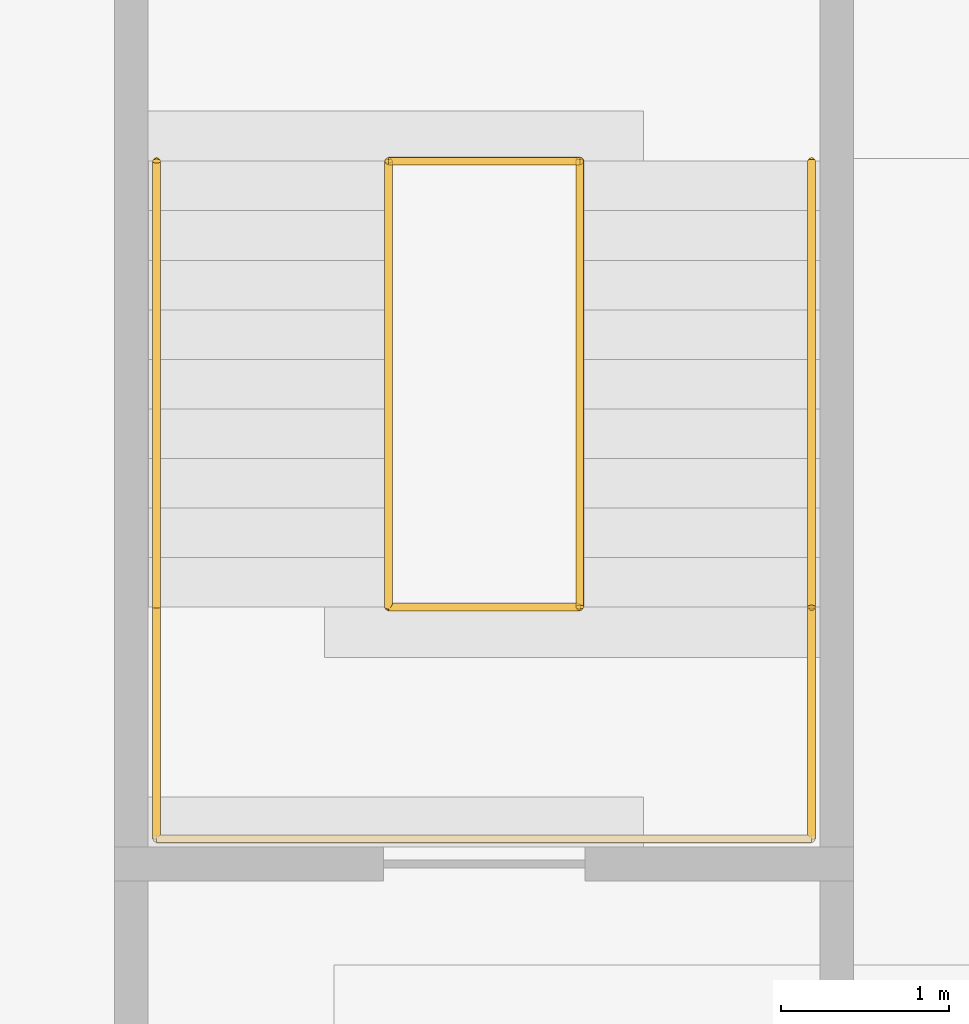
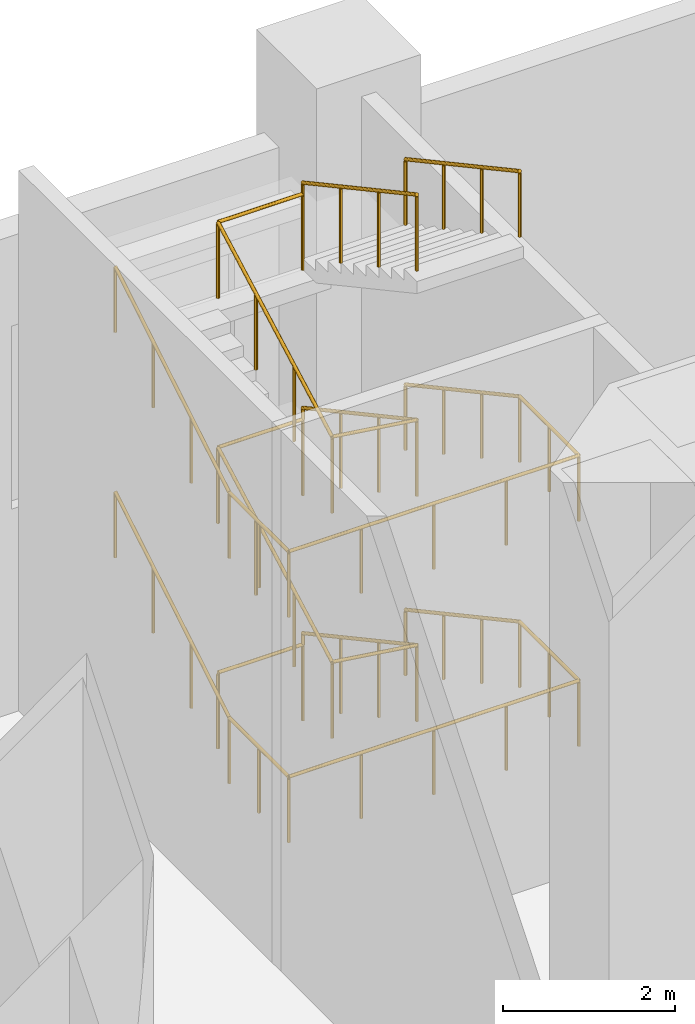
# One storey, part 30 of 31: 7 railings.
"""IFC4 building model written with IfcOpenShell, lengths in metres."""

from ifc_helpers import new_model, si_unit, direction, frame, origin, origin_2d, place, context, subcontext, project, spatial, circle, extrude, material, type_object, element, save


model = new_model("IFC4")

# Units and contexts
model_context = context("Model", 3, precision=1e-05, world=origin(), true_north=direction((0.0, 1.0)))
body_context = subcontext(model_context, "Body", "Model", "MODEL_VIEW")
ifc_project = project(units=[si_unit("LENGTHUNIT", "METRE"), si_unit("AREAUNIT", "SQUARE_METRE"), si_unit("VOLUMEUNIT", "CUBIC_METRE"), si_unit("PLANEANGLEUNIT", "RADIAN"), si_unit("MASSUNIT", "GRAM", prefix="KILO")], contexts=[model_context])

# Site, building, storey
site_placement = place(None, origin())
site = spatial("IfcSite", under=ifc_project, at=site_placement, CompositionType="ELEMENT")
building_placement = place(site_placement, origin())
building = spatial("IfcBuilding", under=site, at=building_placement, Name="Marenta Gate Hotel Tower", CompositionType="ELEMENT")
storey_placement = place(building_placement, origin())
storey = spatial("IfcBuildingStorey", under=building, at=storey_placement, Name="L00", CompositionType="ELEMENT", Elevation=0.0)

# Railings
ifc_material_1 = material(Name="Stainless steel", Category="steel")
railing_type_1 = type_object("IfcRailingType", Name="Core stair handrail 950", PredefinedType="HANDRAIL", material=ifc_material_1)
railing_1_placement = place(storey_placement, frame((20.85009765625, 40.18505859375, 0.159912109375)))
element("IfcRailing", 1, at=railing_1_placement, inside=storey, type_object=railing_type_1, Name="HR-950 L00-KR-PX4-2", PredefinedType="HANDRAIL", context=body_context, shape_type="SweptSolid", body=[
    extrude(circle(Radius=0.02392578125, at=origin_2d()), frame((0.0, 0.0, 0.92578125), z_axis=(0.0, -0.879008314826, 0.476806441302), x_axis=(1.0, 0.0, 0.0)), (0.0, 0.0, 1.0), 3.0205078125),
    extrude(circle(Radius=0.02392578125, at=origin_2d()), frame((0.0, -2.655029296875, 2.3662109375), z_axis=(0.0, -1.0, 0.0), x_axis=(1.0, 0.0, 0.0)), (0.0, 0.0, 1.0), 1.380126953125),
    extrude(circle(Radius=0.02392578125, at=origin_2d()), frame((0.0, -4.03515625, 2.3662109375), z_axis=(-1.0, 0.0, 0.0), x_axis=(0.0, -1.0, 0.0)), (0.0, 0.0, 1.0), 3.900146484375),
    extrude(circle(Radius=0.02392578125, at=origin_2d()), frame((-3.900146484375, -4.03515625, 2.3662109375), z_axis=(0.0, 1.0, 0.0), x_axis=(-1.0, 0.0, 0.0)), (0.0, 0.0, 1.0), 1.380126953125),
    extrude(circle(Radius=0.02392578125, at=origin_2d()), frame((-3.900146484375, -2.655029296875, 2.3662109375), z_axis=(0.0, 0.856518470943, 0.516116371503), x_axis=(-1.0, 0.0, 0.0)), (0.0, 0.0, 1.0), 3.099853515625),
    extrude(circle(Radius=0.02099609375, at=origin_2d()), origin(), (0.0, 0.0, 1.0), 0.90185546875),
    extrude(circle(Radius=0.02099609375, at=origin_2d()), frame((0.0, -0.885009765625, 0.47998046875)), (0.0, 0.0, 1.0), 0.90185546875),
    extrude(circle(Radius=0.02099609375, at=origin_2d()), frame((0.0, -1.77001953125, 0.960205078125)), (0.0, 0.0, 1.0), 0.90185546875),
    extrude(circle(Radius=0.02099609375, at=origin_2d()), frame((0.0, -2.655029296875, 1.440185546875)), (0.0, 0.0, 1.0), 0.90185546875),
    extrude(circle(Radius=0.02099609375, at=origin_2d()), frame((0.0, -3.34521484375, 1.440185546875)), (0.0, 0.0, 1.0), 0.90185546875),
    extrude(circle(Radius=0.02099609375, at=origin_2d()), frame((0.0, -4.03515625, 1.440185546875)), (0.0, 0.0, 1.0), 0.90185546875),
    extrude(circle(Radius=0.02099609375, at=origin_2d()), frame((-0.97509765625, -4.03515625, 1.440185546875)), (0.0, 0.0, 1.0), 0.90185546875),
    extrude(circle(Radius=0.02099609375, at=origin_2d()), frame((-1.9501953125, -4.03515625, 1.440185546875)), (0.0, 0.0, 1.0), 0.90185546875),
    extrude(circle(Radius=0.02099609375, at=origin_2d()), frame((-2.925048828125, -4.03515625, 1.440185546875)), (0.0, 0.0, 1.0), 0.90185546875),
    extrude(circle(Radius=0.02099609375, at=origin_2d()), frame((-3.900146484375, -4.03515625, 1.440185546875)), (0.0, 0.0, 1.0), 0.90185546875),
    extrude(circle(Radius=0.02099609375, at=origin_2d()), frame((-3.900146484375, -3.34521484375, 1.440185546875)), (0.0, 0.0, 1.0), 0.90185546875),
    extrude(circle(Radius=0.02099609375, at=origin_2d()), frame((-3.900146484375, -2.655029296875, 1.440185546875)), (0.0, 0.0, 1.0), 0.90185546875),
    extrude(circle(Radius=0.02099609375, at=origin_2d()), frame((-3.900146484375, -1.77001953125, 1.973388671875)), (0.0, 0.0, 1.0), 0.90185546875),
    extrude(circle(Radius=0.02099609375, at=origin_2d()), frame((-3.900146484375, -0.885009765625, 2.5068359375)), (0.0, 0.0, 1.0), 0.90185546875),
    extrude(circle(Radius=0.02099609375, at=origin_2d()), frame((-3.900146484375, 0.0, 3.0400390625)), (0.0, 0.0, 1.0), 0.90185546875),
])
railing_2_placement = place(storey_placement, frame((20.85009765625, 40.18505859375, 3.360107421875)))
element("IfcRailing", 2, at=railing_2_placement, inside=storey, type_object=railing_type_1, Name="HR-950 L00-KR-PX4-5", PredefinedType="HANDRAIL", context=body_context, shape_type="SweptSolid", body=[
    extrude(circle(Radius=0.02392578125, at=origin_2d()), frame((0.0, 0.0, 0.92578125), z_axis=(0.0, -0.879042190435, 0.476743985212), x_axis=(1.0, 0.0, 0.0)), (0.0, 0.0, 1.0), 3.020263671875),
    extrude(circle(Radius=0.02392578125, at=origin_2d()), frame((0.0, -2.655029296875, 2.36572265625), z_axis=(0.0, -1.0, 0.0), x_axis=(1.0, 0.0, 0.0)), (0.0, 0.0, 1.0), 1.380126953125),
    extrude(circle(Radius=0.02392578125, at=origin_2d()), frame((0.0, -4.03515625, 2.36572265625), z_axis=(-1.0, 0.0, 0.0), x_axis=(0.0, -1.0, 0.0)), (0.0, 0.0, 1.0), 3.900146484375),
    extrude(circle(Radius=0.02392578125, at=origin_2d()), frame((-3.900146484375, -4.03515625, 2.36572265625), z_axis=(0.0, 1.0, 0.0), x_axis=(-1.0, 0.0, 0.0)), (0.0, 0.0, 1.0), 1.380126953125),
    extrude(circle(Radius=0.02392578125, at=origin_2d()), frame((-3.900146484375, -2.655029296875, 2.36572265625), z_axis=(0.0, 0.856518470943, 0.516116371503), x_axis=(-1.0, 0.0, 0.0)), (0.0, 0.0, 1.0), 3.099853515625),
    extrude(circle(Radius=0.02099609375, at=origin_2d()), origin(), (0.0, 0.0, 1.0), 0.90185546875),
    extrude(circle(Radius=0.02099609375, at=origin_2d()), frame((0.0, -0.885009765625, 0.47998046875)), (0.0, 0.0, 1.0), 0.90185546875),
    extrude(circle(Radius=0.02099609375, at=origin_2d()), frame((0.0, -1.77001953125, 0.9599609375)), (0.0, 0.0, 1.0), 0.90185546875),
    extrude(circle(Radius=0.02099609375, at=origin_2d()), frame((0.0, -2.655029296875, 1.43994140625)), (0.0, 0.0, 1.0), 0.90185546875),
    extrude(circle(Radius=0.02099609375, at=origin_2d()), frame((0.0, -3.34521484375, 1.43994140625)), (0.0, 0.0, 1.0), 0.90185546875),
    extrude(circle(Radius=0.02099609375, at=origin_2d()), frame((0.0, -4.03515625, 1.43994140625)), (0.0, 0.0, 1.0), 0.90185546875),
    extrude(circle(Radius=0.02099609375, at=origin_2d()), frame((-0.97509765625, -4.03515625, 1.43994140625)), (0.0, 0.0, 1.0), 0.90185546875),
    extrude(circle(Radius=0.02099609375, at=origin_2d()), frame((-1.9501953125, -4.03515625, 1.43994140625)), (0.0, 0.0, 1.0), 0.90185546875),
    extrude(circle(Radius=0.02099609375, at=origin_2d()), frame((-2.925048828125, -4.03515625, 1.43994140625)), (0.0, 0.0, 1.0), 0.90185546875),
    extrude(circle(Radius=0.02099609375, at=origin_2d()), frame((-3.900146484375, -4.03515625, 1.43994140625)), (0.0, 0.0, 1.0), 0.90185546875),
    extrude(circle(Radius=0.02099609375, at=origin_2d()), frame((-3.900146484375, -3.34521484375, 1.43994140625)), (0.0, 0.0, 1.0), 0.90185546875),
    extrude(circle(Radius=0.02099609375, at=origin_2d()), frame((-3.900146484375, -2.655029296875, 1.43994140625)), (0.0, 0.0, 1.0), 0.90185546875),
    extrude(circle(Radius=0.02099609375, at=origin_2d()), frame((-3.900146484375, -1.77001953125, 1.97314453125)), (0.0, 0.0, 1.0), 0.90185546875),
    extrude(circle(Radius=0.02099609375, at=origin_2d()), frame((-3.900146484375, -0.885009765625, 2.506591796875)), (0.0, 0.0, 1.0), 0.90185546875),
    extrude(circle(Radius=0.02099609375, at=origin_2d()), frame((-3.900146484375, 0.0, 3.039794921875)), (0.0, 0.0, 1.0), 0.90185546875),
])
railing_3_placement = place(storey_placement, frame((20.85009765625, 40.18505859375, 6.56005859375)))
element("IfcRailing", 3, at=railing_3_placement, inside=storey, type_object=railing_type_1, Name="HR-950 L00-KR-PX4-8", PredefinedType="HANDRAIL", context=body_context, shape_type="SweptSolid", body=[
    extrude(circle(Radius=0.02392578125, at=origin_2d()), frame((0.0, 0.0, 0.92578125), z_axis=(0.0, -0.879042190435, 0.476743985212), x_axis=(1.0, 0.0, 0.0)), (0.0, 0.0, 1.0), 3.020263671875),
    extrude(circle(Radius=0.02099609375, at=origin_2d()), origin(), (0.0, 0.0, 1.0), 0.90185546875),
    extrude(circle(Radius=0.02099609375, at=origin_2d()), frame((0.0, -0.885009765625, 0.47998046875)), (0.0, 0.0, 1.0), 0.90185546875),
    extrude(circle(Radius=0.02099609375, at=origin_2d()), frame((0.0, -1.77001953125, 0.9599609375)), (0.0, 0.0, 1.0), 0.90185546875),
    extrude(circle(Radius=0.02099609375, at=origin_2d()), frame((0.0, -2.655029296875, 1.43994140625)), (0.0, 0.0, 1.0), 0.90185546875),
])
ifc_material_2 = material(Name="Stainless steel", Category="steel")
railing_type_2 = type_object("IfcRailingType", Name="Core stair well guard 1100", PredefinedType="GUARDRAIL", material=ifc_material_2)
railing_4_placement = place(storey_placement, frame((18.330078125, 40.18505859375, 0.0)))
element("IfcRailing", 4, at=railing_4_placement, inside=storey, type_object=railing_type_2, Name="GR-1100 L00-KR-PX4-3", PredefinedType="GUARDRAIL", context=body_context, shape_type="SweptSolid", body=[
    extrude(circle(Radius=0.02392578125, at=origin_2d()), frame((0.0, 0.0, 1.076171875), z_axis=(1.0, 0.0, 0.0), x_axis=(0.0, 1.0, 0.0)), (0.0, 0.0, 1.0), 1.139892578125),
    extrude(circle(Radius=0.02392578125, at=origin_2d()), frame((1.139892578125, 0.0, 1.076171875), z_axis=(0.0, 0.0, 1.0), x_axis=(1.0, 0.0, 0.0)), (0.0, 0.0, 1.0), 0.159912109375),
    extrude(circle(Radius=0.02392578125, at=origin_2d()), frame((1.139892578125, 0.0, 1.23583984375), z_axis=(0.0, -0.879008314826, 0.476806441302), x_axis=(1.0, 0.0, 0.0)), (0.0, 0.0, 1.0), 3.0205078125),
    extrude(circle(Radius=0.02392578125, at=origin_2d()), frame((1.139892578125, -2.655029296875, 2.67626953125), z_axis=(-0.990302682069, 0.0, 0.138926591723), x_axis=(0.0, -1.0, 0.0)), (0.0, 0.0, 1.0), 1.151123046875),
    extrude(circle(Radius=0.02392578125, at=origin_2d()), frame((0.0, -2.655029296875, 2.8359375), z_axis=(0.0, 0.879042190435, 0.476743985212), x_axis=(-1.0, 0.0, 0.0)), (0.0, 0.0, 1.0), 3.020263671875),
    extrude(circle(Radius=0.02099609375, at=origin_2d()), origin(), (0.0, 0.0, 1.0), 1.052001953125),
    extrude(circle(Radius=0.02099609375, at=origin_2d()), frame((1.139892578125, 0.0, 0.0)), (0.0, 0.0, 1.0), 1.052001953125),
    extrude(circle(Radius=0.02099609375, at=origin_2d()), frame((1.139892578125, 0.0, 0.159912109375)), (0.0, 0.0, 1.0), 1.052001953125),
    extrude(circle(Radius=0.02099609375, at=origin_2d()), frame((1.139892578125, -0.885009765625, 0.639892578125)), (0.0, 0.0, 1.0), 1.052001953125),
    extrude(circle(Radius=0.02099609375, at=origin_2d()), frame((1.139892578125, -1.77001953125, 1.1201171875)), (0.0, 0.0, 1.0), 1.052001953125),
    extrude(circle(Radius=0.02099609375, at=origin_2d()), frame((1.139892578125, -2.655029296875, 1.60009765625)), (0.0, 0.0, 1.0), 1.052001953125),
    extrude(circle(Radius=0.02099609375, at=origin_2d()), frame((0.0, -2.655029296875, 1.760009765625)), (0.0, 0.0, 1.0), 1.052001953125),
    extrude(circle(Radius=0.02099609375, at=origin_2d()), frame((0.0, -1.77001953125, 2.239990234375)), (0.0, 0.0, 1.0), 1.052001953125),
    extrude(circle(Radius=0.02099609375, at=origin_2d()), frame((0.0, -0.885009765625, 2.719970703125)), (0.0, 0.0, 1.0), 1.052001953125),
    extrude(circle(Radius=0.02099609375, at=origin_2d()), frame((0.0, 0.0, 3.199951171875)), (0.0, 0.0, 1.0), 1.052001953125),
])
railing_5_placement = place(storey_placement, frame((18.330078125, 40.18505859375, 3.199951171875)))
element("IfcRailing", 5, at=railing_5_placement, inside=storey, type_object=railing_type_2, Name="GR-1100 L00-KR-PX4-6", PredefinedType="GUARDRAIL", context=body_context, shape_type="SweptSolid", body=[
    extrude(circle(Radius=0.02392578125, at=origin_2d()), frame((0.0, 0.0, 1.076171875), z_axis=(1.0, 0.0, 0.0), x_axis=(0.0, 1.0, 0.0)), (0.0, 0.0, 1.0), 1.139892578125),
    extrude(circle(Radius=0.02392578125, at=origin_2d()), frame((1.139892578125, 0.0, 1.076171875), z_axis=(0.0, 0.0, 1.0), x_axis=(1.0, 0.0, 0.0)), (0.0, 0.0, 1.0), 0.16015625),
    extrude(circle(Radius=0.02392578125, at=origin_2d()), frame((1.139892578125, 0.0, 1.236328125), z_axis=(0.0, -0.879042190435, 0.476743985212), x_axis=(1.0, 0.0, 0.0)), (0.0, 0.0, 1.0), 3.020263671875),
    extrude(circle(Radius=0.02392578125, at=origin_2d()), frame((1.139892578125, -2.655029296875, 2.67626953125), z_axis=(-0.990302682069, 0.0, 0.138926591723), x_axis=(0.0, -1.0, 0.0)), (0.0, 0.0, 1.0), 1.151123046875),
    extrude(circle(Radius=0.02392578125, at=origin_2d()), frame((0.0, -2.655029296875, 2.8359375), z_axis=(0.0, 0.879042190435, 0.476743985212), x_axis=(-1.0, 0.0, 0.0)), (0.0, 0.0, 1.0), 3.020263671875),
    extrude(circle(Radius=0.02099609375, at=origin_2d()), origin(), (0.0, 0.0, 1.0), 1.052001953125),
    extrude(circle(Radius=0.02099609375, at=origin_2d()), frame((1.139892578125, 0.0, 0.0)), (0.0, 0.0, 1.0), 1.052001953125),
    extrude(circle(Radius=0.02099609375, at=origin_2d()), frame((1.139892578125, 0.0, 0.16015625)), (0.0, 0.0, 1.0), 1.052001953125),
    extrude(circle(Radius=0.02099609375, at=origin_2d()), frame((1.139892578125, -0.885009765625, 0.64013671875)), (0.0, 0.0, 1.0), 1.052001953125),
    extrude(circle(Radius=0.02099609375, at=origin_2d()), frame((1.139892578125, -1.77001953125, 1.1201171875)), (0.0, 0.0, 1.0), 1.052001953125),
    extrude(circle(Radius=0.02099609375, at=origin_2d()), frame((1.139892578125, -2.655029296875, 1.60009765625)), (0.0, 0.0, 1.0), 1.052001953125),
    extrude(circle(Radius=0.02099609375, at=origin_2d()), frame((0.0, -2.655029296875, 1.760009765625)), (0.0, 0.0, 1.0), 1.052001953125),
    extrude(circle(Radius=0.02099609375, at=origin_2d()), frame((0.0, -1.77001953125, 2.239990234375)), (0.0, 0.0, 1.0), 1.052001953125),
    extrude(circle(Radius=0.02099609375, at=origin_2d()), frame((0.0, -0.885009765625, 2.719970703125)), (0.0, 0.0, 1.0), 1.052001953125),
    extrude(circle(Radius=0.02099609375, at=origin_2d()), frame((0.0, 0.0, 3.199951171875)), (0.0, 0.0, 1.0), 1.052001953125),
])
railing_6_placement = place(storey_placement, frame((18.330078125, 40.18505859375, 6.39990234375)))
element("IfcRailing", 6, at=railing_6_placement, inside=storey, type_object=railing_type_2, Name="GR-1100 L00-KR-PX4-7", PredefinedType="GUARDRAIL", context=body_context, shape_type="SweptSolid", body=[
    extrude(circle(Radius=0.02392578125, at=origin_2d()), frame((0.0, 0.0, 1.076171875), z_axis=(1.0, 0.0, 0.0), x_axis=(0.0, 1.0, 0.0)), (0.0, 0.0, 1.0), 1.139892578125),
    extrude(circle(Radius=0.02099609375, at=origin_2d()), origin(), (0.0, 0.0, 1.0), 1.052001953125),
    extrude(circle(Radius=0.02099609375, at=origin_2d()), frame((1.139892578125, 0.0, 0.0)), (0.0, 0.0, 1.0), 1.052001953125),
])
railing_7_placement = place(storey_placement, frame((19.469970703125, 40.18505859375, 6.56005859375)))
element("IfcRailing", 7, at=railing_7_placement, inside=storey, type_object=railing_type_2, Name="GR-1100 L00-KR-PX4-9", PredefinedType="GUARDRAIL", context=body_context, shape_type="SweptSolid", body=[
    extrude(circle(Radius=0.02392578125, at=origin_2d()), frame((0.0, 0.0, 1.076171875), z_axis=(0.0, -0.879042190435, 0.476743985212), x_axis=(1.0, 0.0, 0.0)), (0.0, 0.0, 1.0), 3.020263671875),
    extrude(circle(Radius=0.02099609375, at=origin_2d()), origin(), (0.0, 0.0, 1.0), 1.052001953125),
    extrude(circle(Radius=0.02099609375, at=origin_2d()), frame((0.0, -0.885009765625, 0.47998046875)), (0.0, 0.0, 1.0), 1.052001953125),
    extrude(circle(Radius=0.02099609375, at=origin_2d()), frame((0.0, -1.77001953125, 0.9599609375)), (0.0, 0.0, 1.0), 1.052001953125),
    extrude(circle(Radius=0.02099609375, at=origin_2d()), frame((0.0, -2.655029296875, 1.43994140625)), (0.0, 0.0, 1.0), 1.052001953125),
])

save(model, "model.ifc")
